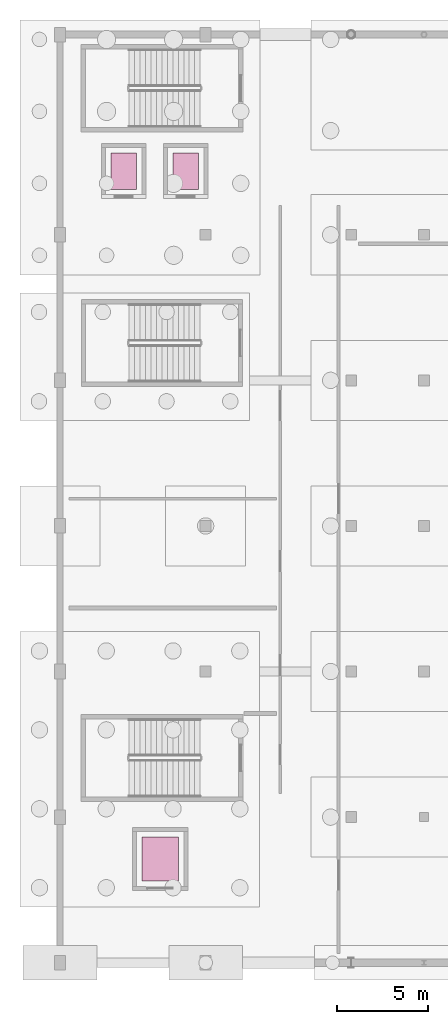
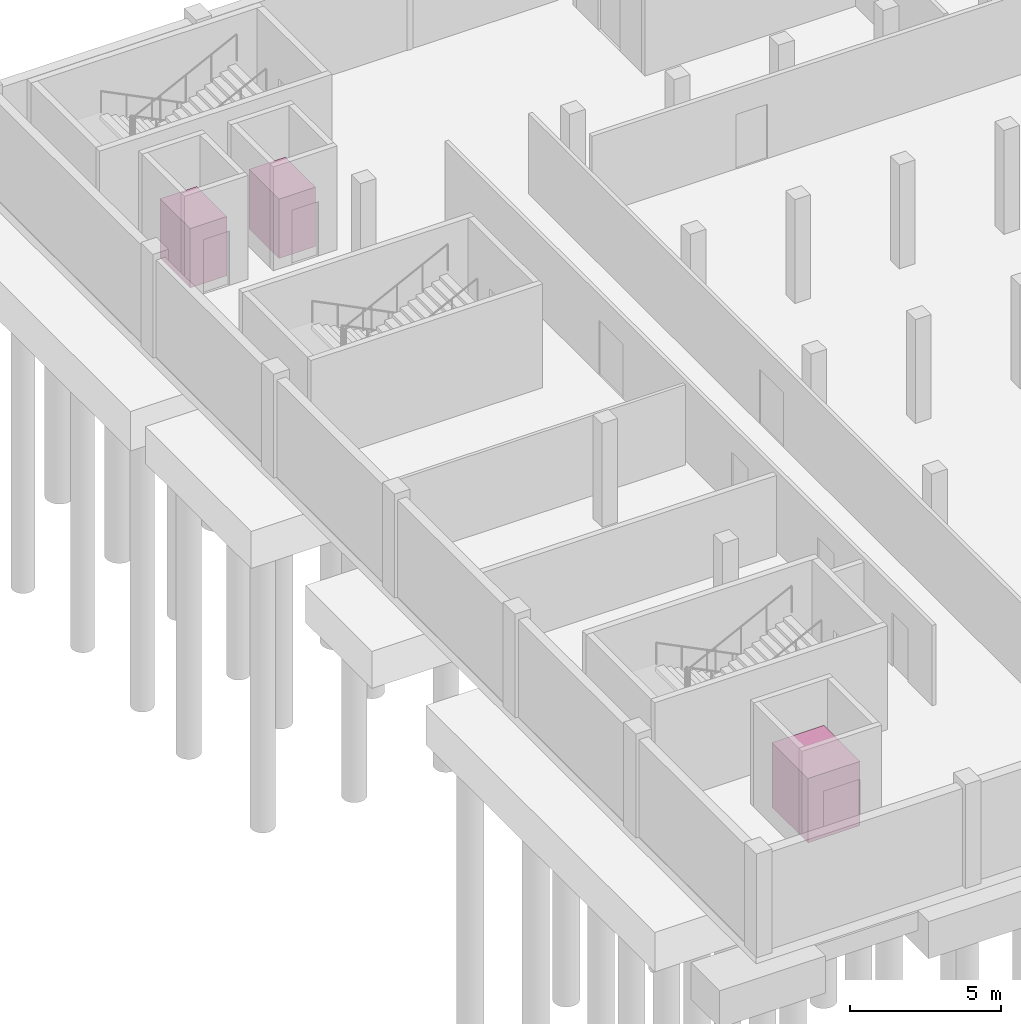
# One storey, part 15 of 15: 3 transport elements.
"""IFC4 building model written with IfcOpenShell, lengths in metres."""

import ifcopenshell
import ifcopenshell.guid

model = None  # the IFC model being written
_history = None  # IfcOwnerHistory: only IFC2X3 demands one
_inside = {}  # id of a spatial element -> (the spatial element, [elements in it])
_under = {}  # id of a project, library or spatial element -> (it, [spatial elements below it])
_declared = {}  # id of a project -> (the project, [libraries it declares])
_typed = {}  # id of a type object -> (the type object, [elements of that type])
_made_of = {}  # id of a material, layer set ... -> (it, [elements and type objects made of it])


def new_model(schema):
    """Start an empty IFC model of exactly this schema.

    Asked for "IFC4X3", IfcOpenShell would pick the latest addendum, in which some entities
    have other attributes; the version numbers below select the first issue.
    IFC2X3 requires an IfcOwnerHistory on every rooted entity: one is made here for all.
    """
    global model, _history
    if schema == "IFC4X3":
        model = ifcopenshell.file(schema_version=(4, 3, 0, 0))
    else:
        model = ifcopenshell.file(schema=schema)
    _inside.clear()
    _under.clear()
    _declared.clear()
    _typed.clear()
    _made_of.clear()
    _history = None
    if model.schema == "IFC2X3":
        org = make("IfcOrganization", Name="unknown")
        user = make(
            "IfcPersonAndOrganization",
            ThePerson=make("IfcPerson", FamilyName="unknown"),
            TheOrganization=org,
        )
        app = make(
            "IfcApplication",
            ApplicationDeveloper=org,
            Version="unknown",
            ApplicationFullName="unknown",
            ApplicationIdentifier="unknown",
        )
        _history = make(
            "IfcOwnerHistory",
            OwningUser=user,
            OwningApplication=app,
            ChangeAction="ADDED",
            CreationDate=0,
        )
    return model


def make(cls, **values):
    """One entity of the class cls with the attributes given. An attribute that is None is left unset."""
    return model.create_entity(
        cls, **{name: value for name, value in values.items() if value is not None}
    )


def rooted(cls, **values):
    """An entity with a GlobalId (a new one), such as an element, a storey or a relation."""
    return make(cls, GlobalId=ifcopenshell.guid.new(), OwnerHistory=_history, **values)


def si_unit(unit_type, name, prefix=None):
    """IfcSIUnit, for example si_unit("LENGTHUNIT", "METRE", prefix="MILLI")."""
    return make("IfcSIUnit", UnitType=unit_type, Prefix=prefix, Name=name)


def derived_unit(unit_type, elements):
    """IfcDerivedUnit: a product of units, each with its exponent."""
    return make(
        "IfcDerivedUnit",
        Elements=[
            make("IfcDerivedUnitElement", Unit=unit, Exponent=power)
            for unit, power in elements
        ],
        UnitType=unit_type,
    )


def assignment(units):
    """IfcUnitAssignment: the units of a project."""
    return None if units is None else make("IfcUnitAssignment", Units=units)


def point(xyz):
    """IfcCartesianPoint."""
    return None if xyz is None else make("IfcCartesianPoint", Coordinates=xyz)


def direction(xyz):
    """IfcDirection."""
    return None if xyz is None else make("IfcDirection", DirectionRatios=xyz)


def frame(location, z_axis=None, x_axis=None):
    """IfcAxis2Placement3D, a coordinate frame: its origin and axes. An axis left out is left unset."""
    return make(
        "IfcAxis2Placement3D",
        Location=point(location),
        Axis=direction(z_axis),
        RefDirection=direction(x_axis),
    )


def frame_2d(location, x_axis=None):
    """IfcAxis2Placement2D, a coordinate frame in the plane: its origin and x axis."""
    return make(
        "IfcAxis2Placement2D", Location=point(location), RefDirection=direction(x_axis)
    )


def origin():
    """The frame at (0, 0, 0) with its axes left unset."""
    return frame((0.0, 0.0, 0.0))


def origin_2d():
    """The frame at (0, 0) in the plane with its x axis left unset."""
    return frame_2d((0.0, 0.0))


def place(relative_to, where):
    """IfcLocalPlacement: puts the frame where relative to a parent placement (None: the world)."""
    return make(
        "IfcLocalPlacement", PlacementRelTo=relative_to, RelativePlacement=where
    )


def context(
    kind, dimensions, precision=None, world=None, true_north=None, identifier=None
):
    """IfcGeometricRepresentationContext, for example the 3D "Model" context."""
    return make(
        "IfcGeometricRepresentationContext",
        ContextIdentifier=identifier,
        ContextType=kind,
        CoordinateSpaceDimension=dimensions,
        Precision=precision,
        WorldCoordinateSystem=world,
        TrueNorth=true_north,
    )


def subcontext(parent, identifier, kind, view, scale=None):
    """IfcGeometricRepresentationSubContext, for example "Body" below "Model"."""
    return make(
        "IfcGeometricRepresentationSubContext",
        ContextIdentifier=identifier,
        ContextType=kind,
        ParentContext=parent,
        TargetScale=scale,
        TargetView=view,
    )


def project(units=None, contexts=None):
    """IfcProject with its units and contexts."""
    return rooted(
        "IfcProject",
        Name="project",
        RepresentationContexts=contexts,
        UnitsInContext=assignment(units),
    )


def spatial(cls, under=None, at=None, **own):
    """A site, building, storey or space (cls), placed at a placement, below another one or the project."""
    s = rooted(cls, ObjectPlacement=at, **own)
    if under is not None:
        _under.setdefault(under.id(), (under, []))[1].append(s)
    return s


def profile(cls, at=None, kind="AREA", **sizes):
    """A parametric profile (cls). Its sizes go by their IFC names, for example OverallWidth=200.0."""
    return make(cls, ProfileType=kind, Position=at, **sizes)


def rectangle(**sizes):
    """IfcRectangleProfileDef."""
    return profile("IfcRectangleProfileDef", **sizes)


def extrude(swept, where, along, depth):
    """IfcExtrudedAreaSolid: the profile swept, set in the frame where, extruded along a direction by depth."""
    return make(
        "IfcExtrudedAreaSolid",
        SweptArea=swept,
        Position=where,
        ExtrudedDirection=direction(along),
        Depth=depth,
    )


def shape(context_of_items, identifier, shape_type, items):
    """IfcShapeRepresentation: the items that make up one representation, for example the "Body"."""
    return make(
        "IfcShapeRepresentation",
        ContextOfItems=context_of_items,
        RepresentationIdentifier=identifier,
        RepresentationType=shape_type,
        Items=items,
    )


def material(Name=None, Category=None):
    """IfcMaterial."""
    return make("IfcMaterial", Name=Name, Category=Category)


def made_of(thing, what):
    """Note that an element or type object is made of a material, layer set ...; save() writes the relation."""
    if what is not None:
        _made_of.setdefault(what.id(), (what, []))[1].append(thing)
    return thing


def type_object(cls, material=None, **own):
    """A type object (cls), such as IfcWallType, which elements share."""
    return made_of(rooted(cls, **own), material)


def element(
    cls,
    number,
    at=None,
    inside=None,
    cuts=None,
    type_object=None,
    material=None,
    context=None,
    identifier="Body",
    shape_type=None,
    held_by="IfcProductDefinitionShape",
    body=None,
    shapes=None,
    **own,
):
    """One element of the class cls, such as IfcWall. Its Tag is "e" and its number.

    at: its placement. inside: the storey or other place that contains it. cuts: it is an
    opening in that element (IfcRelVoidsElement). A single representation is given by context,
    identifier, shape_type and body (its items); several are given by shapes. held_by: the class
    of the entity that holds the representations. save() writes the other relations.
    """
    e = rooted(cls, Tag="e%d" % number, ObjectPlacement=at, **own)
    if body is not None:
        shapes = [shape(context, identifier, shape_type, body)]
    if shapes is not None:
        e.Representation = make(held_by, Representations=shapes)
    if inside is not None:
        _inside.setdefault(inside.id(), (inside, []))[1].append(e)
    if cuts is not None:
        rooted(
            "IfcRelVoidsElement", RelatingBuildingElement=cuts, RelatedOpeningElement=e
        )
    if type_object is not None:
        _typed.setdefault(type_object.id(), (type_object, []))[1].append(e)
    return made_of(e, material)


def aggregate(whole, parts):
    """IfcRelAggregates: a whole, such as a stair, and the parts it consists of."""
    return rooted("IfcRelAggregates", RelatingObject=whole, RelatedObjects=parts)


def save(model, path):
    """Write the relations noted so far, then the file.

    IfcRelAggregates (storeys below a building ...), IfcRelContainedInSpatialStructure (elements
    in a storey), IfcRelDefinesByType, IfcRelAssociatesMaterial and IfcRelDeclares: one each for
    every whole, place, type object, material and project.
    """
    for whole, parts in _under.values():
        aggregate(whole, parts)
    for where, things in _inside.values():
        rooted(
            "IfcRelContainedInSpatialStructure",
            RelatedElements=things,
            RelatingStructure=where,
        )
    for kind, things in _typed.values():
        rooted("IfcRelDefinesByType", RelatedObjects=things, RelatingType=kind)
    for what, things in _made_of.values():
        rooted("IfcRelAssociatesMaterial", RelatedObjects=things, RelatingMaterial=what)
    for by, libraries in _declared.values():
        rooted("IfcRelDeclares", RelatingContext=by, RelatedDefinitions=libraries)
    model.write(path)


model = new_model("IFC4")

# Units and contexts
model_context = context("Model", 3, precision=1e-05, world=origin(), true_north=direction((0.0, 1.0)))
body_context = subcontext(model_context, "Body", "Model", "MODEL_VIEW")
ifc_project = project(units=[si_unit("LENGTHUNIT", "METRE"), si_unit("AREAUNIT", "SQUARE_METRE"), si_unit("VOLUMEUNIT", "CUBIC_METRE"), si_unit("PLANEANGLEUNIT", "RADIAN"), si_unit("MASSUNIT", "GRAM", prefix="KILO"), derived_unit("THERMALTRANSMITTANCEUNIT", [(si_unit("POWERUNIT", "WATT"), 1), (si_unit("LENGTHUNIT", "METRE"), -2), (si_unit("THERMODYNAMICTEMPERATUREUNIT", "KELVIN"), -1)])], contexts=[model_context])

# Site, building, storey
site_placement = place(None, origin())
site = spatial("IfcSite", under=ifc_project, at=site_placement, CompositionType="ELEMENT")
building_placement = place(site_placement, origin())
building = spatial("IfcBuilding", under=site, at=building_placement, Name="Keldorne Ridge Multi-Sports Centre", CompositionType="ELEMENT")
storey_placement = place(building_placement, frame((0.0, 0.0, -4.199951171875)))
storey = spatial("IfcBuildingStorey", under=building, at=storey_placement, Name="B01", CompositionType="ELEMENT", Elevation=-4.199951171875)

# Transport elements
ifc_material = material(Name="Stainless steel", Category="steel")
transport_element_type_1 = type_object("IfcTransportElementType", Name="TRN-LF-01", PredefinedType="ELEVATOR", material=ifc_material)
for number, where, z_axis, x_axis, name in (
    (1, (107.5, 109.5, 0.0), (0.0, 0.0, 1.0), (1.0, 0.0, 0.0), "Stretcher Evacuation Lift L-01"),
    (2, (110.89990234375, 109.5, 0.0), (0.0, 0.0, 1.0), (1.0, 0.0, 0.0), "Stretcher Evacuation Lift L-02"),
):
    element("IfcTransportElement", number, at=place(storey_placement, frame(where, z_axis=z_axis, x_axis=x_axis)), inside=storey, type_object=transport_element_type_1, Name=name, PredefinedType="ELEVATOR", context=body_context, shape_type="SweptSolid", body=[
        extrude(rectangle(XDim=1.39990234375, YDim=2.0, at=origin_2d()), origin(), (0.0, 0.0, 1.0), 2.39990234375),
    ])
transport_element_type_2 = type_object("IfcTransportElementType", Name="TRN-LF-03", PredefinedType="ELEVATOR", material=ifc_material)
transport_element_placement = place(storey_placement, frame((109.5, 71.699951171875, 0.0), z_axis=(0.0, 0.0, 1.0), x_axis=(1.0, 0.0, 0.0)))
element("IfcTransportElement", 3, at=transport_element_placement, inside=storey, type_object=transport_element_type_2, Name="Sports Equipment Goods Lift L-05", PredefinedType="ELEVATOR", context=body_context, shape_type="SweptSolid", body=[
    extrude(rectangle(XDim=2.0, YDim=2.39990234375, at=origin_2d()), origin(), (0.0, 0.0, 1.0), 2.60009765625),
])

save(model, "model.ifc")
